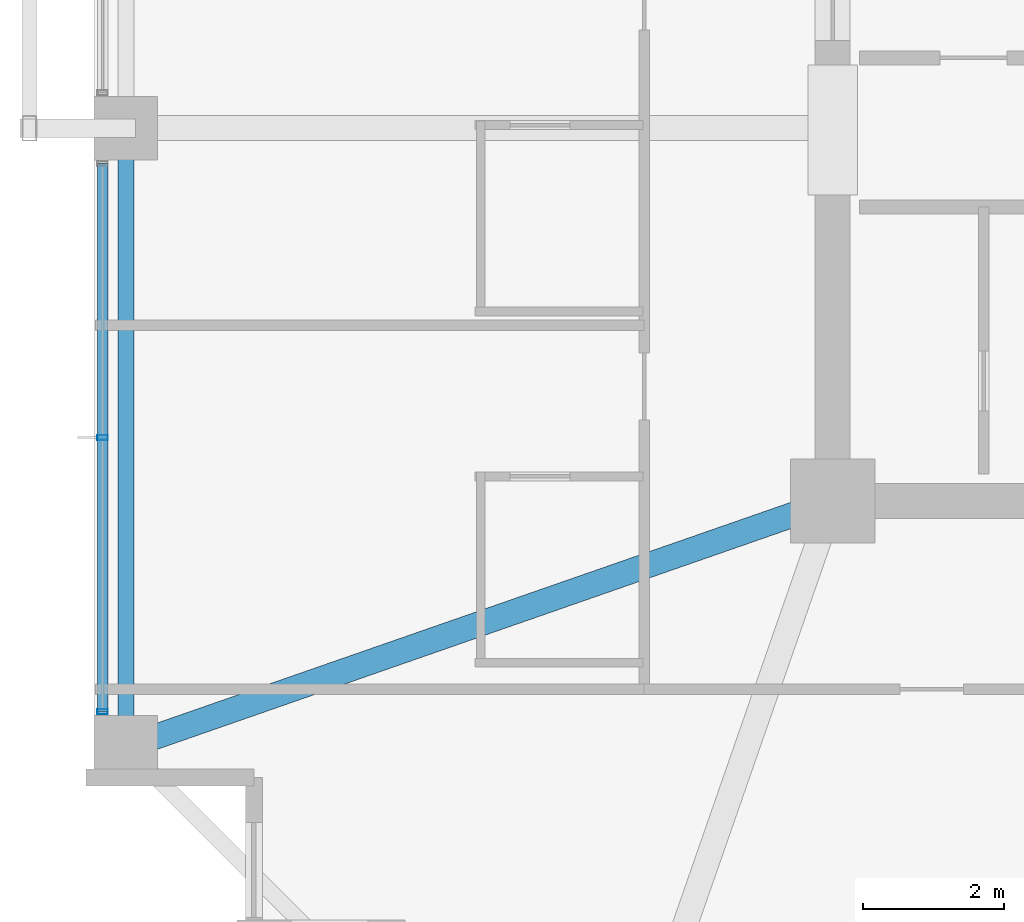
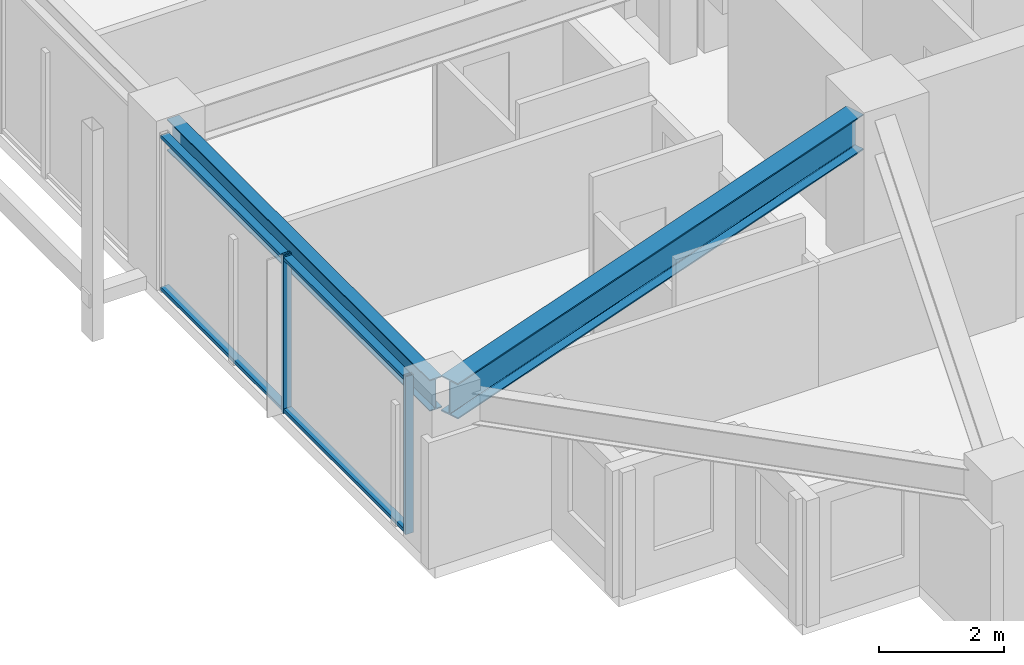
# One storey, part 3 of 37: 4 members, 2 beams, 1 element without a shape of its own.
"""IFC4 building model written with IfcOpenShell, lengths in metres."""

from ifc_helpers import new_model, si_unit, direction, frame, origin, origin_2d, place, context, subcontext, project, spatial, hollow_rectangle, i_section, extrude, material, material_profile, profile_set, type_object, element, aggregate, save


model = new_model("IFC4")

# Units and contexts
model_context = context("Model", 3, precision=1e-05, world=origin(), true_north=direction((0.0, 1.0)))
body_context = subcontext(model_context, "Body", "Model", "MODEL_VIEW")
ifc_project = project(units=[si_unit("LENGTHUNIT", "METRE"), si_unit("AREAUNIT", "SQUARE_METRE"), si_unit("VOLUMEUNIT", "CUBIC_METRE"), si_unit("PLANEANGLEUNIT", "RADIAN"), si_unit("MASSUNIT", "GRAM", prefix="KILO")], contexts=[model_context])

# Site, building, storey
site_placement = place(None, origin())
site = spatial("IfcSite", under=ifc_project, at=site_placement, CompositionType="ELEMENT")
building_placement = place(site_placement, origin())
building = spatial("IfcBuilding", under=site, at=building_placement, Name="Kolvaren Belvedere", CompositionType="ELEMENT")
storey_placement = place(building_placement, frame((0.0, 0.0, 173.39990234375)))
storey = spatial("IfcBuildingStorey", under=building, at=storey_placement, Name="L50", CompositionType="ELEMENT", Elevation=173.39990234375)

# Beams
ifc_material_1 = material(Name="Structural steel ASTM A992 Grade 50", Category="steel")
ifc_material_profile_1 = material_profile(ifc_material_1, i_section(OverallWidth=0.35498046875, OverallDepth=0.696044921875, WebThickness=0.015380859375, FlangeThickness=0.02490234375, FilletRadius=0.02197265625, at=origin_2d()), Name="W27X146")
ifc_profile_set_1 = profile_set([ifc_material_profile_1], Name="Structural steel ASTM A992 Grade 50")
beam_type_1 = type_object("IfcBeamType", Name="BM-GIRD-W27X146", PredefinedType="BEAM", material=ifc_profile_set_1)
beam_1_placement = place(storey_placement, frame((-10.41943359375, -10.080810546875, 2.732177734375), z_axis=(-0.944366798861, -0.328894130701, 0.0), x_axis=(0.328894130701, -0.944366798861, 0.0)))
element("IfcBeam", 1, at=beam_1_placement, inside=storey, type_object=beam_type_1, Name="L50 Corner Core-to-Perimeter Girder CC1-W1", PredefinedType="BEAM", context=body_context, shape_type="SweptSolid", body=[
    extrude(i_section(OverallWidth=0.35498046875, OverallDepth=0.696044921875, WebThickness=0.015380859375, FlangeThickness=0.02490234375, FilletRadius=0.02197265625, at=origin_2d()), origin(), (0.0, 0.0, 1.0), 9.912109375),
])
ifc_material_2 = material(Name="Structural steel ASTM A992 Grade 50", Category="steel")
ifc_material_profile_2 = material_profile(ifc_material_2, i_section(OverallWidth=0.22900390625, OverallDepth=0.612060546875, WebThickness=0.011962890625, FlangeThickness=0.01953125, FilletRadius=0.01806640625, at=origin_2d()), Name="W24X84")
ifc_profile_set_2 = profile_set([ifc_material_profile_2], Name="Structural steel ASTM A992 Grade 50")
beam_type_2 = type_object("IfcBeamType", Name="BM-SPAN-W24X84", PredefinedType="SPANDREL", material=ifc_profile_set_2)
beam_2_placement = place(storey_placement, frame((-19.949951171875, -4.802490234375, 2.774169921875), z_axis=(0.0, -1.0, 0.0), x_axis=(1.0, 0.0, 0.0)))
element("IfcBeam", 2, at=beam_2_placement, inside=storey, type_object=beam_type_2, Name="L50 Perimeter Spandrel W2-W1", PredefinedType="SPANDREL", context=body_context, shape_type="SweptSolid", body=[
    extrude(i_section(OverallWidth=0.22900390625, OverallDepth=0.612060546875, WebThickness=0.011962890625, FlangeThickness=0.01953125, FilletRadius=0.01806640625, at=origin_2d()), origin(), (0.0, 0.0, 1.0), 8.39501953125),
])

# Curtain wall, members
ifc_material_3 = material(Name="Anodised pale-metal aluminium AA 6063-T6", Category="aluminium")
curtain_wall_type = type_object("IfcCurtainWallType", Name="CW-Z5-HIGH", PredefinedType="NOTDEFINED", material=ifc_material_3)
curtain_wall_placement = place(storey_placement, origin())
curtain_wall = element("IfcCurtainWall", 3, at=curtain_wall_placement, inside=storey, type_object=curtain_wall_type, Name="L50 Unitised Curtain Wall FCW-L50-W-B1", PredefinedType="NOTDEFINED")
ifc_material_4 = material(Name="Anodised pale-metal aluminium AA 6063-T6", Category="aluminium")
ifc_material_profile_3 = material_profile(ifc_material_4, hollow_rectangle(XDim=0.070068359375, YDim=0.14990234375, WallThickness=0.004150390625, at=origin_2d()), Name="ALU-MUL-150X70")
ifc_profile_set_3 = profile_set([ifc_material_profile_3], Name="Anodised pale-metal aluminium AA 6063-T6")
member_type_1 = type_object("IfcMemberType", Name="CW-MUL-150", PredefinedType="MULLION", material=ifc_profile_set_3)
member_1_placement = place(storey_placement, frame((-20.280029296875, -12.89501953125, 0.0), z_axis=(0.0, 0.0, 1.0), x_axis=(0.0, 1.0, 0.0)))
member_1 = element("IfcMember", 4, at=member_1_placement, type_object=member_type_1, Name="FCW-L50-W-B1 Unitised Mullion 1", PredefinedType="MULLION", context=body_context, shape_type="SweptSolid", body=[
    extrude(hollow_rectangle(XDim=0.070068359375, YDim=0.14990234375, WallThickness=0.004150390625, at=origin_2d()), origin(), (0.0, 0.0, 1.0), 3.080078125),
])
member_2_placement = place(storey_placement, frame((-20.280029296875, -9.0, 0.0), z_axis=(0.0, 0.0, 1.0), x_axis=(0.0, 1.0, 0.0)))
member_2 = element("IfcMember", 5, at=member_2_placement, type_object=member_type_1, Name="FCW-L50-W-B1 Unitised Mullion 2", PredefinedType="MULLION", context=body_context, shape_type="SweptSolid", body=[
    extrude(hollow_rectangle(XDim=0.070068359375, YDim=0.14990234375, WallThickness=0.004150390625, at=origin_2d()), origin(), (0.0, 0.0, 1.0), 3.080078125),
])
ifc_material_5 = material(Name="Anodised pale-metal aluminium AA 6063-T6", Category="aluminium")
ifc_material_profile_4 = material_profile(ifc_material_5, hollow_rectangle(XDim=0.06494140625, YDim=0.14990234375, WallThickness=0.00390625, at=origin_2d()), Name="ALU-TRN-150X65")
ifc_profile_set_4 = profile_set([ifc_material_profile_4], Name="Anodised pale-metal aluminium AA 6063-T6")
member_type_2 = type_object("IfcMemberType", Name="CW-TRN-150", PredefinedType="USERDEFINED", material=ifc_profile_set_4)
member_3_placement = place(storey_placement, frame((-20.280029296875, -12.89501953125, 0.06005859375), z_axis=(0.0, 1.0, 0.0), x_axis=(0.0, 0.0, 1.0)))
member_3 = element("IfcMember", 6, at=member_3_placement, type_object=member_type_2, Name="FCW-L50-W-B1 Sill Transom", ObjectType="TRANSOM", PredefinedType="USERDEFINED", context=body_context, shape_type="SweptSolid", body=[
    extrude(hollow_rectangle(XDim=0.06494140625, YDim=0.14990234375, WallThickness=0.00390625, at=origin_2d()), origin(), (0.0, 0.0, 1.0), 7.7900390625),
])
member_4_placement = place(storey_placement, frame((-20.280029296875, -12.89501953125, 3.02001953125), z_axis=(0.0, 1.0, 0.0), x_axis=(0.0, 0.0, 1.0)))
member_4 = element("IfcMember", 7, at=member_4_placement, type_object=member_type_2, Name="FCW-L50-W-B1 Head Transom", ObjectType="TRANSOM", PredefinedType="USERDEFINED", context=body_context, shape_type="SweptSolid", body=[
    extrude(hollow_rectangle(XDim=0.06494140625, YDim=0.14990234375, WallThickness=0.00390625, at=origin_2d()), origin(), (0.0, 0.0, 1.0), 7.7900390625),
])
aggregate(curtain_wall, [member_1, member_2, member_3, member_4])

save(model, "model.ifc")
